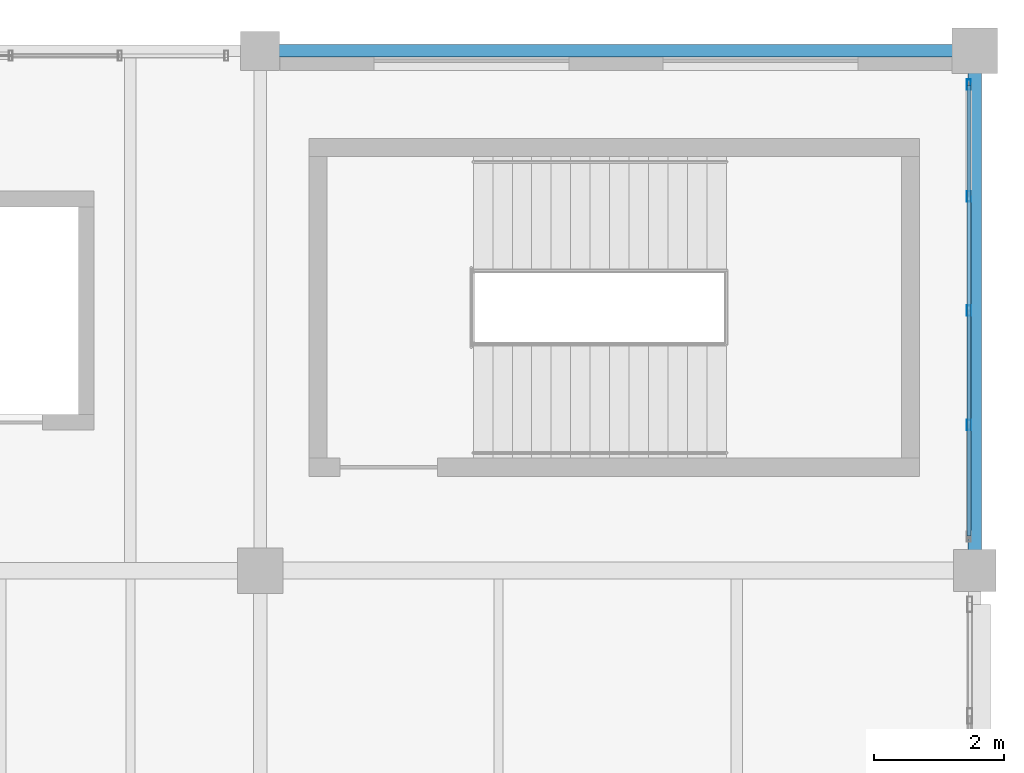
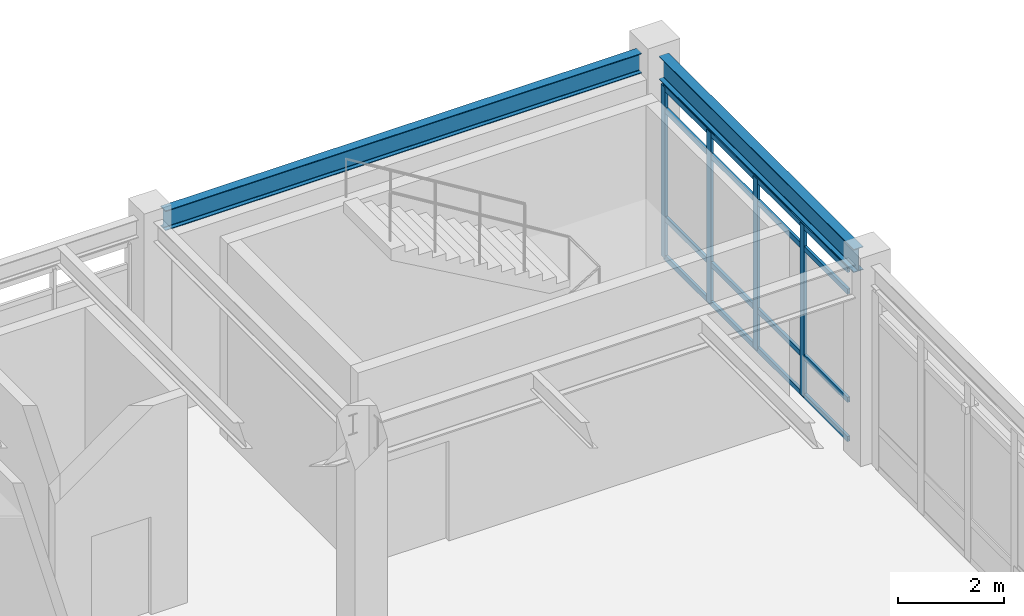
# One storey, part 153 of 200: 8 members, 2 beams, 1 element without a shape of its own.
"""IFC4 building model written with IfcOpenShell, lengths in metres."""

from ifc_helpers import new_model, si_unit, direction, frame, origin, origin_2d, place, context, subcontext, project, spatial, hollow_rectangle, i_section, extrude, material, material_profile, profile_set, type_object, element, aggregate, save


model = new_model("IFC4")

# Units and contexts
model_context = context("Model", 3, precision=1e-05, world=origin(), true_north=direction((0.0, 1.0)))
body_context = subcontext(model_context, "Body", "Model", "MODEL_VIEW")
ifc_project = project(units=[si_unit("LENGTHUNIT", "METRE"), si_unit("AREAUNIT", "SQUARE_METRE"), si_unit("VOLUMEUNIT", "CUBIC_METRE"), si_unit("PLANEANGLEUNIT", "RADIAN"), si_unit("MASSUNIT", "GRAM", prefix="KILO"), si_unit("THERMODYNAMICTEMPERATUREUNIT", "KELVIN"), si_unit("POWERUNIT", "WATT")], contexts=[model_context])

# Site, building, storey
site_placement = place(None, origin())
site = spatial("IfcSite", under=ifc_project, at=site_placement, CompositionType="ELEMENT")
building_placement = place(site_placement, origin())
building = spatial("IfcBuilding", under=site, at=building_placement, Name="Tepalcoro Natatorium and Aquatics Centre", CompositionType="ELEMENT")
storey_placement = place(building_placement, frame((0.0, 0.0, 5.39990234375)))
storey = spatial("IfcBuildingStorey", under=building, at=storey_placement, Name="L01", CompositionType="ELEMENT", Elevation=5.39990234375)

# Curtain wall, members
ifc_material_1 = material(Name="Bronze-Anodised Extruded Aluminium Alloy EN AW-6063 T6", Category="aluminium")
curtain_wall_type = type_object("IfcCurtainWallType", Name="CW_V1_PLINTH", PredefinedType="USERDEFINED", material=ifc_material_1)
curtain_wall_placement = place(storey_placement, origin())
curtain_wall = element("IfcCurtainWall", 1, at=curtain_wall_placement, inside=storey, type_object=curtain_wall_type, Name="V5 L01 E Unitised Curtain Wall Bay 4", ObjectType="UNITISED STOREFRONT", PredefinedType="USERDEFINED")
ifc_material_profile_1 = material_profile(ifc_material_1, hollow_rectangle(XDim=0.06005859375, YDim=0.159912109375, WallThickness=0.00390625, at=origin_2d()), Name="AL60X160X4")
ifc_profile_set_1 = profile_set([ifc_material_profile_1], Name="Bronze-Anodised Extruded Aluminium Alloy EN AW-6063 T6")
member_type_1 = type_object("IfcMemberType", Name="CW_MUL_60x160", PredefinedType="MULLION", material=ifc_profile_set_1)
member_1_placement = place(storey_placement, frame((175.909912109375, 112.239990234375, 0.02001953125), z_axis=(0.0, 0.0, 1.0), x_axis=(1.0, 0.0, 0.0)))
member_1 = element("IfcMember", 2, at=member_1_placement, type_object=member_type_1, Name="CW_V1_PLINTH Curtain Wall Mullion", PredefinedType="MULLION", context=body_context, shape_type="SweptSolid", body=[
    extrude(hollow_rectangle(XDim=0.06005859375, YDim=0.159912109375, WallThickness=0.00390625, at=origin_2d()), origin(), (0.0, 0.0, 1.0), 3.9541015625),
])
member_2_placement = place(storey_placement, frame((175.909912109375, 114.0, 0.02001953125), z_axis=(0.0, 0.0, 1.0), x_axis=(1.0, 0.0, 0.0)))
member_2 = element("IfcMember", 3, at=member_2_placement, type_object=member_type_1, Name="CW_V1_PLINTH Curtain Wall Mullion", PredefinedType="MULLION", context=body_context, shape_type="SweptSolid", body=[
    extrude(hollow_rectangle(XDim=0.06005859375, YDim=0.159912109375, WallThickness=0.00390625, at=origin_2d()), origin(), (0.0, 0.0, 1.0), 3.9541015625),
])
member_3_placement = place(storey_placement, frame((175.909912109375, 115.760009765625, 0.02001953125), z_axis=(0.0, 0.0, 1.0), x_axis=(1.0, 0.0, 0.0)))
member_3 = element("IfcMember", 4, at=member_3_placement, type_object=member_type_1, Name="CW_V1_PLINTH Curtain Wall Mullion", PredefinedType="MULLION", context=body_context, shape_type="SweptSolid", body=[
    extrude(hollow_rectangle(XDim=0.06005859375, YDim=0.159912109375, WallThickness=0.00390625, at=origin_2d()), origin(), (0.0, 0.0, 1.0), 3.9541015625),
])
member_4_placement = place(storey_placement, frame((175.909912109375, 117.47998046875, 0.02001953125), z_axis=(0.0, 0.0, 1.0), x_axis=(1.0, 0.0, 0.0)))
member_4 = element("IfcMember", 5, at=member_4_placement, type_object=member_type_1, Name="CW_V1_PLINTH Curtain Wall Mullion", PredefinedType="MULLION", context=body_context, shape_type="SweptSolid", body=[
    extrude(hollow_rectangle(XDim=0.06005859375, YDim=0.159912109375, WallThickness=0.00390625, at=origin_2d()), origin(), (0.0, 0.0, 1.0), 3.9541015625),
])
ifc_material_profile_2 = material_profile(ifc_material_1, hollow_rectangle(XDim=0.06005859375, YDim=0.1201171875, WallThickness=0.00390625, at=origin_2d()), Name="AL60X120X4")
ifc_profile_set_2 = profile_set([ifc_material_profile_2], Name="Bronze-Anodised Extruded Aluminium Alloy EN AW-6063 T6")
member_type_2 = type_object("IfcMemberType", Name="CW_TRN_60x120", PredefinedType="USERDEFINED", material=ifc_profile_set_2)
member_5_placement = place(storey_placement, frame((175.909912109375, 110.530029296875, 0.050048828125), z_axis=(0.0, 1.0, 0.0), x_axis=(-1.0, 0.0, 0.0)))
member_5 = element("IfcMember", 6, at=member_5_placement, type_object=member_type_2, Name="CW_V1_PLINTH Curtain Wall Transom", ObjectType="TRANSOM", PredefinedType="USERDEFINED", context=body_context, shape_type="SweptSolid", body=[
    extrude(hollow_rectangle(XDim=0.06005859375, YDim=0.1201171875, WallThickness=0.00390625, at=origin_2d()), origin(), (0.0, 0.0, 1.0), 6.93994140625),
])
member_6_placement = place(storey_placement, frame((175.909912109375, 110.530029296875, 0.9501953125), z_axis=(0.0, 1.0, 0.0), x_axis=(-1.0, 0.0, 0.0)))
member_6 = element("IfcMember", 7, at=member_6_placement, type_object=member_type_2, Name="CW_V1_PLINTH Curtain Wall Transom", ObjectType="TRANSOM", PredefinedType="USERDEFINED", context=body_context, shape_type="SweptSolid", body=[
    extrude(hollow_rectangle(XDim=0.06005859375, YDim=0.1201171875, WallThickness=0.00390625, at=origin_2d()), origin(), (0.0, 0.0, 1.0), 6.93994140625),
])
member_7_placement = place(storey_placement, frame((175.909912109375, 110.530029296875, 3.444091796875), z_axis=(0.0, 1.0, 0.0), x_axis=(-1.0, 0.0, 0.0)))
member_7 = element("IfcMember", 8, at=member_7_placement, type_object=member_type_2, Name="CW_V1_PLINTH Curtain Wall Transom", ObjectType="TRANSOM", PredefinedType="USERDEFINED", context=body_context, shape_type="SweptSolid", body=[
    extrude(hollow_rectangle(XDim=0.06005859375, YDim=0.1201171875, WallThickness=0.00390625, at=origin_2d()), origin(), (0.0, 0.0, 1.0), 6.93994140625),
])
member_8_placement = place(storey_placement, frame((175.909912109375, 110.530029296875, 3.944091796875), z_axis=(0.0, 1.0, 0.0), x_axis=(-1.0, 0.0, 0.0)))
member_8 = element("IfcMember", 9, at=member_8_placement, type_object=member_type_2, Name="CW_V1_PLINTH Curtain Wall Transom", ObjectType="TRANSOM", PredefinedType="USERDEFINED", context=body_context, shape_type="SweptSolid", body=[
    extrude(hollow_rectangle(XDim=0.06005859375, YDim=0.1201171875, WallThickness=0.00390625, at=origin_2d()), origin(), (0.0, 0.0, 1.0), 6.93994140625),
])
aggregate(curtain_wall, [member_1, member_2, member_3, member_4, member_5, member_6, member_7, member_8])

# Beams
ifc_material_2 = material(Name="Steel ASTM A992 Grade 50 (Fy 345 MPa)", Category="steel")
ifc_material_profile_3 = material_profile(ifc_material_2, i_section(OverallWidth=0.19091796875, OverallDepth=0.4599609375, WebThickness=0.010009765625, FlangeThickness=0.01611328125, FilletRadius=0.013916015625, at=origin_2d()), Name="W18X55")
ifc_profile_set_3 = profile_set([ifc_material_profile_3], Name="Steel ASTM A992 Grade 50 (Fy 345 MPa)")
beam_type_1 = type_object("IfcBeamType", Name="SP_W18x55", PredefinedType="SPANDREL", material=ifc_profile_set_3)
beam_1_placement = place(storey_placement, frame((165.284912109375, 118.0, 4.315185546875), z_axis=(1.0, 0.0, 0.0), x_axis=(0.0, 1.0, 0.0)))
element("IfcBeam", 10, at=beam_1_placement, inside=storey, type_object=beam_type_1, Name="V5 L01 Grid Girder X", PredefinedType="SPANDREL", context=body_context, shape_type="SweptSolid", body=[
    extrude(i_section(OverallWidth=0.19091796875, OverallDepth=0.4599609375, WebThickness=0.010009765625, FlangeThickness=0.01611328125, FilletRadius=0.013916015625, at=origin_2d()), origin(), (0.0, 0.0, 1.0), 10.380126953125),
])
ifc_material_profile_4 = material_profile(ifc_material_2, i_section(OverallWidth=0.2099609375, OverallDepth=0.535888671875, WebThickness=0.010986328125, FlangeThickness=0.01708984375, FilletRadius=0.013916015625, at=origin_2d()), Name="W21X68")
ifc_profile_set_4 = profile_set([ifc_material_profile_4], Name="Steel ASTM A992 Grade 50 (Fy 345 MPa)")
beam_type_2 = type_object("IfcBeamType", Name="SP_W21x68", PredefinedType="SPANDREL", material=ifc_profile_set_4)
beam_2_placement = place(storey_placement, frame((176.0, 110.31005859375, 4.277099609375), z_axis=(0.0, 1.0, 0.0), x_axis=(-1.0, 0.0, 0.0)))
element("IfcBeam", 11, at=beam_2_placement, inside=storey, type_object=beam_type_2, Name="V5 L01 Grid Girder Y", PredefinedType="SPANDREL", context=body_context, shape_type="SweptSolid", body=[
    extrude(i_section(OverallWidth=0.2099609375, OverallDepth=0.535888671875, WebThickness=0.010986328125, FlangeThickness=0.01708984375, FilletRadius=0.013916015625, at=origin_2d()), origin(), (0.0, 0.0, 1.0), 7.35498046875),
])

save(model, "model.ifc")
